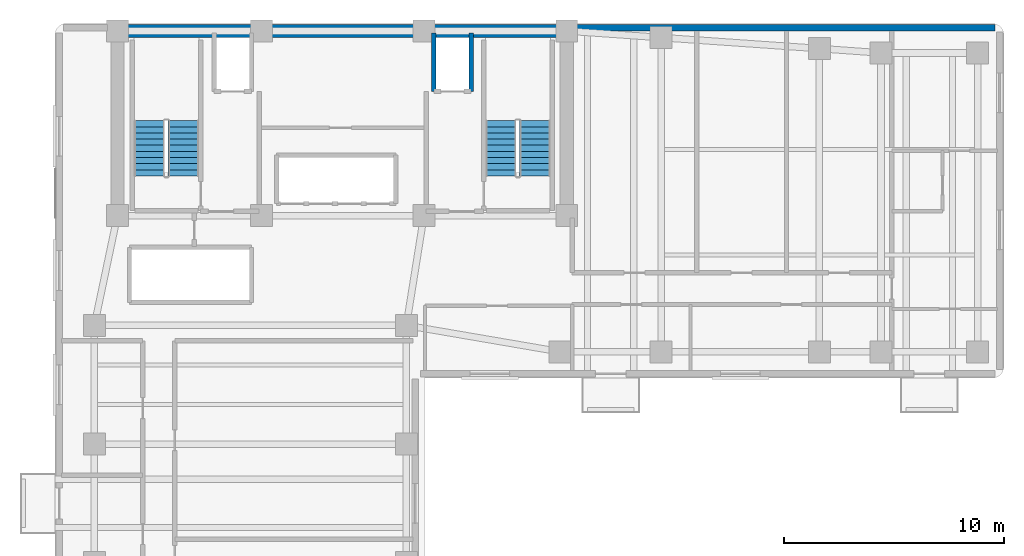
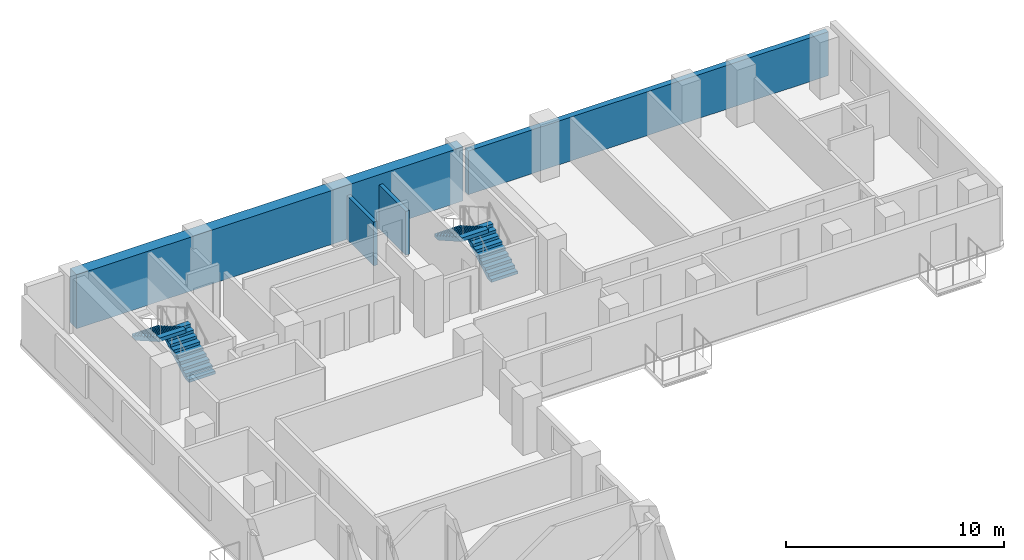
# One storey, part 5 of 7: 4 stair flights, 4 walls, 2 elements without a shape of their own.
"""IFC4 building model written with IfcOpenShell, lengths in metres."""

from ifc_helpers import new_model, si_unit, direction, frame, frame_2d, origin, place, context, subcontext, project, spatial, polyline, rectangle, outline, extrude, material, layer, layer_set, type_object, element, aggregate, save


model = new_model("IFC4")

# Units and contexts
model_context = context("Model", 3, precision=1e-05, world=origin(), true_north=direction((0.0, 1.0)))
body_context = subcontext(model_context, "Body", "Model", "MODEL_VIEW")
ifc_project = project(units=[si_unit("LENGTHUNIT", "METRE"), si_unit("AREAUNIT", "SQUARE_METRE"), si_unit("VOLUMEUNIT", "CUBIC_METRE"), si_unit("PLANEANGLEUNIT", "RADIAN"), si_unit("MASSUNIT", "GRAM", prefix="KILO")], contexts=[model_context])

# Site, building, storey
site_placement = place(None, origin())
site = spatial("IfcSite", under=ifc_project, at=site_placement, CompositionType="ELEMENT")
building_placement = place(site_placement, origin())
building = spatial("IfcBuilding", under=site, at=building_placement, Name="Kuzgunbayir Cultural Tower", CompositionType="ELEMENT")
storey_placement = place(building_placement, frame((0.0, 0.0, 126.60009765625)))
storey = spatial("IfcBuildingStorey", under=building, at=storey_placement, Name="L36", CompositionType="ELEMENT", Elevation=126.60009765625)

# Walls
ifc_material_1 = material(Name="Concrete C60/75", Category="concrete")
ifc_layer_1 = layer(ifc_material_1, 0.60009765625)
ifc_layer_set_1 = layer_set([ifc_layer_1], Name="Concrete C60/75")
wall_type_1 = type_object("IfcWallType", Name="WAL-CORE-600", PredefinedType="SHEAR", material=ifc_layer_set_1)
wall_1_placement = place(storey_placement, frame((6.449951171875, 42.199951171875, 0.0), z_axis=(0.0, 0.0, 1.0), x_axis=(1.0, 0.0, 0.0)))
element("IfcWall", 1, at=wall_1_placement, inside=storey, type_object=wall_type_1, Name="L36 T1 Core North Shear Wall", PredefinedType="SHEAR", context=body_context, shape_type="SweptSolid", body=[
    extrude(rectangle(XDim=20.449951171875, YDim=0.60009765625, at=frame_2d((10.22509765625, 0.0))), origin(), (0.0, 0.0, 1.0), 3.02001953125),
])
ifc_material_2 = material(Name="Anatolian Cream Limestone", Category="masonry")
ifc_layer_2 = layer(ifc_material_2, 0.300048828125)
ifc_layer_set_2 = layer_set([ifc_layer_2], Name="Anatolian Cream Limestone")
wall_type_2 = type_object("IfcWallType", Name="WAL-EXT-STONE-300", PredefinedType="STANDARD", material=ifc_layer_set_2)
wall_2_placement = place(storey_placement, frame((46.39990234375, 42.35009765625, 0.0), z_axis=(0.0, 0.0, 1.0), x_axis=(-1.0, 0.0, 0.0)))
element("IfcWall", 2, at=wall_2_placement, inside=storey, type_object=wall_type_2, Name="L36 North Wing B Limestone Wall", PredefinedType="STANDARD", context=body_context, shape_type="SweptSolid", body=[
    extrude(rectangle(XDim=19.0498046875, YDim=0.300048828125, at=frame_2d((9.52490234375, 0.0))), origin(), (0.0, 0.0, 1.0), 2.449951171875),
])
ifc_material_3 = material(Name="Concrete C40/50", Category="concrete")
ifc_layer_3 = layer(ifc_material_3, 0.199951171875)
ifc_layer_set_3 = layer_set([ifc_layer_3], Name="Concrete C40/50")
wall_type_3 = type_object("IfcWallType", Name="WAL-SHAFT-200", PredefinedType="MOVABLE", material=ifc_layer_set_3)
for number, where, z_axis, x_axis, name in (
    (3, (20.85009765625, 39.449951171875, 0.0), (0.0, 0.0, 1.0), (0.0, 1.0, 0.0), "L36 FFL-2 Shaft West Wall"),
    (4, (22.550048828125, 39.449951171875, 0.0), (0.0, 0.0, 1.0), (0.0, 1.0, 0.0), "L36 FFL-2 Shaft East Wall"),
):
    element("IfcWall", number, at=place(storey_placement, frame(where, z_axis=z_axis, x_axis=x_axis)), inside=storey, type_object=wall_type_3, Name=name, PredefinedType="MOVABLE", context=body_context, shape_type="SweptSolid", body=[
        extrude(rectangle(XDim=2.650146484375, YDim=0.199951171875, at=frame_2d((1.3251953125, 0.0))), origin(), (0.0, 0.0, 1.0), 2.449951171875),
    ])

# Stair, stair flights
stair_type = type_object("IfcStairType", Name="STR-EXIT-CORE", PredefinedType="HALF_TURN_STAIR", material=ifc_material_3)
stair_1_placement = place(storey_placement, origin())
stair_1 = element("IfcStair", 5, at=stair_1_placement, inside=storey, type_object=stair_type, Name="L36 ST-1", PredefinedType="HALF_TURN_STAIR")
stair_flight_type = type_object("IfcStairFlightType", Name="STRF-RC-140", PredefinedType="STRAIGHT", material=ifc_material_3)
stair_flight_1_placement = place(storey_placement, frame((9.4599609375, 35.60009765625, 0.0), z_axis=(0.0, 0.0, 1.0), x_axis=(0.0, 1.0, 0.0)))
stair_flight_1 = element("IfcStairFlight", 6, at=stair_flight_1_placement, type_object=stair_flight_type, Name="ST-1 flight 1", NumberOfRisers=10, NumberOfTreads=9, PredefinedType="STRAIGHT", RiserHeight=0.16, TreadLength=0.28, context=body_context, shape_type="SweptSolid", body=[
    extrude(outline(polyline([(0.0, 0.0), (0.0, 0.159912109375), (0.280029296875, 0.159912109375), (0.280029296875, 0.320068359375), (0.56005859375, 0.320068359375), (0.56005859375, 0.47998046875), (0.840087890625, 0.47998046875), (0.840087890625, 0.639892578125), (1.1201171875, 0.639892578125), (1.1201171875, 0.800048828125), (1.39990234375, 0.800048828125), (1.39990234375, 0.9599609375), (1.679931640625, 0.9599609375), (1.679931640625, 1.1201171875), (1.9599609375, 1.1201171875), (1.9599609375, 1.280029296875), (2.239990234375, 1.280029296875), (2.239990234375, 1.43994140625), (2.52001953125, 1.43994140625), (2.52001953125, 1.60009765625), (2.52001953125, 1.232666015625), (0.362548828125, 0.0), (0.0, 0.0)])), frame((0.0, 0.699951171875, 0.0), z_axis=(0.0, -1.0, 0.0), x_axis=(1.0, 0.0, 0.0)), (0.0, 0.0, 1.0), 1.39990234375),
])
stair_flight_2_placement = place(storey_placement, frame((7.89990234375, 38.1201171875, 1.599853515625), z_axis=(0.0, 0.0, 1.0), x_axis=(0.0, -1.0, 0.0)))
stair_flight_2 = element("IfcStairFlight", 7, at=stair_flight_2_placement, type_object=stair_flight_type, Name="ST-1 flight 2", NumberOfRisers=10, NumberOfTreads=9, PredefinedType="STRAIGHT", RiserHeight=0.16, TreadLength=0.28, context=body_context, shape_type="SweptSolid", body=[
    extrude(outline(polyline([(0.0, 0.0), (0.0, 0.159912109375), (0.280029296875, 0.159912109375), (0.280029296875, 0.320068359375), (0.56005859375, 0.320068359375), (0.56005859375, 0.47998046875), (0.840087890625, 0.47998046875), (0.840087890625, 0.639892578125), (1.1201171875, 0.639892578125), (1.1201171875, 0.800048828125), (1.39990234375, 0.800048828125), (1.39990234375, 0.9599609375), (1.679931640625, 0.9599609375), (1.679931640625, 1.1201171875), (1.9599609375, 1.1201171875), (1.9599609375, 1.280029296875), (2.239990234375, 1.280029296875), (2.239990234375, 1.43994140625), (2.52001953125, 1.43994140625), (2.52001953125, 1.60009765625), (2.52001953125, 1.232666015625), (0.362548828125, 0.0), (0.0, 0.0)])), frame((0.0, 0.699951171875, 0.0), z_axis=(0.0, -1.0, 0.0), x_axis=(1.0, 0.0, 0.0)), (0.0, 0.0, 1.0), 1.39990234375),
])
aggregate(stair_1, [stair_flight_1, stair_flight_2])

stair_2_placement = place(storey_placement, origin())
stair_2 = element("IfcStair", 8, at=stair_2_placement, inside=storey, type_object=stair_type, Name="L36 ST-2", PredefinedType="HALF_TURN_STAIR")
stair_flight_3_placement = place(storey_placement, frame((25.4599609375, 35.60009765625, 0.0), z_axis=(0.0, 0.0, 1.0), x_axis=(0.0, 1.0, 0.0)))
stair_flight_3 = element("IfcStairFlight", 9, at=stair_flight_3_placement, type_object=stair_flight_type, Name="ST-2 flight 1", NumberOfRisers=10, NumberOfTreads=9, PredefinedType="STRAIGHT", RiserHeight=0.16, TreadLength=0.28, context=body_context, shape_type="SweptSolid", body=[
    extrude(outline(polyline([(0.0, 0.0), (0.0, 0.159912109375), (0.280029296875, 0.159912109375), (0.280029296875, 0.320068359375), (0.56005859375, 0.320068359375), (0.56005859375, 0.47998046875), (0.840087890625, 0.47998046875), (0.840087890625, 0.639892578125), (1.1201171875, 0.639892578125), (1.1201171875, 0.800048828125), (1.39990234375, 0.800048828125), (1.39990234375, 0.9599609375), (1.679931640625, 0.9599609375), (1.679931640625, 1.1201171875), (1.9599609375, 1.1201171875), (1.9599609375, 1.280029296875), (2.239990234375, 1.280029296875), (2.239990234375, 1.43994140625), (2.52001953125, 1.43994140625), (2.52001953125, 1.60009765625), (2.52001953125, 1.232666015625), (0.362548828125, 0.0), (0.0, 0.0)])), frame((0.0, 0.699951171875, 0.0), z_axis=(0.0, -1.0, 0.0), x_axis=(1.0, 0.0, 0.0)), (0.0, 0.0, 1.0), 1.39990234375),
])
stair_flight_4_placement = place(storey_placement, frame((23.89990234375, 38.1201171875, 1.599853515625), z_axis=(0.0, 0.0, 1.0), x_axis=(0.0, -1.0, 0.0)))
stair_flight_4 = element("IfcStairFlight", 10, at=stair_flight_4_placement, type_object=stair_flight_type, Name="ST-2 flight 2", NumberOfRisers=10, NumberOfTreads=9, PredefinedType="STRAIGHT", RiserHeight=0.16, TreadLength=0.28, context=body_context, shape_type="SweptSolid", body=[
    extrude(outline(polyline([(0.0, 0.0), (0.0, 0.159912109375), (0.280029296875, 0.159912109375), (0.280029296875, 0.320068359375), (0.56005859375, 0.320068359375), (0.56005859375, 0.47998046875), (0.840087890625, 0.47998046875), (0.840087890625, 0.639892578125), (1.1201171875, 0.639892578125), (1.1201171875, 0.800048828125), (1.39990234375, 0.800048828125), (1.39990234375, 0.9599609375), (1.679931640625, 0.9599609375), (1.679931640625, 1.1201171875), (1.9599609375, 1.1201171875), (1.9599609375, 1.280029296875), (2.239990234375, 1.280029296875), (2.239990234375, 1.43994140625), (2.52001953125, 1.43994140625), (2.52001953125, 1.60009765625), (2.52001953125, 1.232666015625), (0.362548828125, 0.0), (0.0, 0.0)])), frame((0.0, 0.699951171875, 0.0), z_axis=(0.0, -1.0, 0.0), x_axis=(1.0, 0.0, 0.0)), (0.0, 0.0, 1.0), 1.39990234375),
])
aggregate(stair_2, [stair_flight_3, stair_flight_4])

save(model, "model.ifc")
